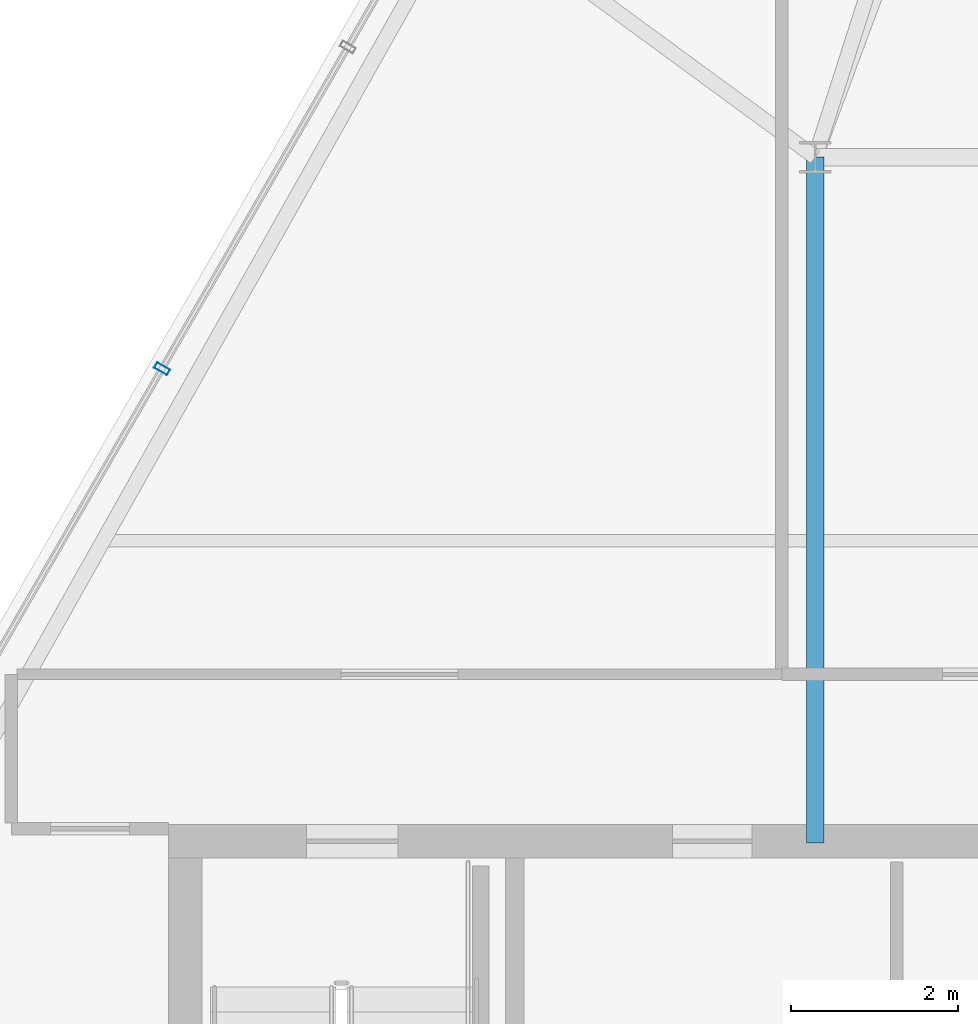
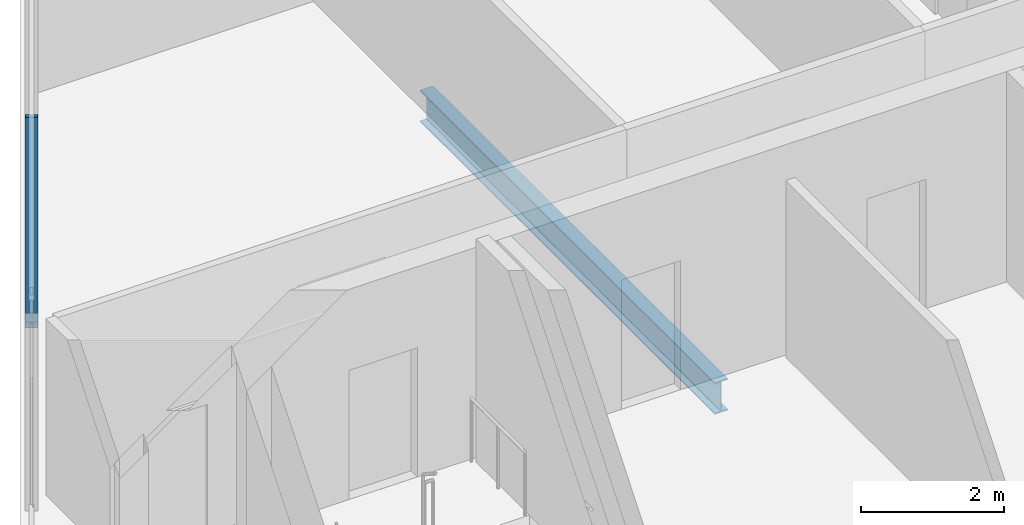
# One storey, part 6 of 32: 1 beam, 1 member, 1 element without a shape of its own.
"""IFC4 building model written with IfcOpenShell, lengths in metres."""

from ifc_helpers import new_model, si_unit, direction, frame, origin, origin_2d, place, context, subcontext, project, spatial, hollow_rectangle, i_section, extrude, material, layer, layer_set, material_profile, profile_set, type_object, element, aggregate, save


model = new_model("IFC4")

# Units and contexts
model_context = context("Model", 3, precision=1e-05, world=origin(), true_north=direction((0.0, 1.0)))
body_context = subcontext(model_context, "Body", "Model", "MODEL_VIEW")
ifc_project = project(units=[si_unit("LENGTHUNIT", "METRE"), si_unit("AREAUNIT", "SQUARE_METRE"), si_unit("VOLUMEUNIT", "CUBIC_METRE"), si_unit("PLANEANGLEUNIT", "RADIAN"), si_unit("MASSUNIT", "GRAM", prefix="KILO")], contexts=[model_context])

# Site, building, storey
site_placement = place(None, origin())
site = spatial("IfcSite", under=ifc_project, at=site_placement, CompositionType="ELEMENT")
building_placement = place(site_placement, origin())
building = spatial("IfcBuilding", under=site, at=building_placement, Name="Ndaravel Arena Tower", CompositionType="ELEMENT")
storey_placement = place(building_placement, frame((0.0, 0.0, 287.10009765625)))
storey = spatial("IfcBuildingStorey", under=building, at=storey_placement, Name="L70", CompositionType="ELEMENT", Elevation=287.10009765625)

# Beam
ifc_material_1 = material(Name="Steel S355", Category="steel")
ifc_material_profile_1 = material_profile(ifc_material_1, i_section(OverallWidth=0.210693359375, OverallDepth=0.53955078125, WebThickness=0.01171875, FlangeThickness=0.018798828125, FilletRadius=0.0126953125, at=origin_2d()), Name="UB 533x210x109")
ifc_profile_set_1 = profile_set([ifc_material_profile_1], Name="Steel S355")
beam_type = type_object("IfcBeamType", Name="BM-GIRD-UB533", PredefinedType="BEAM", material=ifc_profile_set_1)
beam_placement = place(storey_placement, frame((34.199951171875, 14.97998046875, -0.48974609375), z_axis=(0.0, 1.0, 0.0), x_axis=(-1.0, 0.0, 0.0)))
element("IfcBeam", 1, at=beam_placement, inside=storey, type_object=beam_type, Name="L70 Spine Link Girder SLG-01", PredefinedType="BEAM", context=body_context, shape_type="SweptSolid", body=[
    extrude(i_section(OverallWidth=0.210693359375, OverallDepth=0.53955078125, WebThickness=0.01171875, FlangeThickness=0.018798828125, FilletRadius=0.0126953125, at=origin_2d()), origin(), (0.0, 0.0, 1.0), 8.219970703125),
])

# Curtain wall, member
ifc_material_2 = material(Name="Aluminium", Category="aluminium")
ifc_layer = layer(ifc_material_2, 0.179931640625)
ifc_layer_set = layer_set([ifc_layer], Name="Aluminium")
curtain_wall_type = type_object("IfcCurtainWallType", Name="CW-SYS-03", PredefinedType="NOTDEFINED", material=ifc_layer_set)
curtain_wall_placement = place(storey_placement, origin())
curtain_wall = element("IfcCurtainWall", 2, at=curtain_wall_placement, inside=storey, type_object=curtain_wall_type, Name="L70 Faceted Crystal Curtain Wall CW-L70-E05", PredefinedType="NOTDEFINED")
ifc_material_3 = material(Name="Aluminium", Category="aluminium")
ifc_material_profile_2 = material_profile(ifc_material_3, hollow_rectangle(XDim=0.074951171875, YDim=0.179931640625, WallThickness=0.00390625, at=origin_2d()), Name="CW MULLION 75x180x4")
ifc_profile_set_2 = profile_set([ifc_material_profile_2], Name="Aluminium")
member_type = type_object("IfcMemberType", Name="MEM-CW-MUL180", PredefinedType="MULLION", material=ifc_profile_set_2)
member_placement = place(storey_placement, frame((26.370849609375, 20.6630859375, 0.0), z_axis=(0.0, 0.0, 1.0), x_axis=(-0.5, -0.866025403784, 0.0)))
member = element("IfcMember", 3, at=member_placement, type_object=member_type, Name="CW-L70-E05 Mullion 06", PredefinedType="MULLION", context=body_context, shape_type="SweptSolid", body=[
    extrude(hollow_rectangle(XDim=0.074951171875, YDim=0.179931640625, WallThickness=0.00390625, at=origin_2d()), origin(), (0.0, 0.0, 1.0), 3.579833984375),
])
aggregate(curtain_wall, [member])

save(model, "model.ifc")
